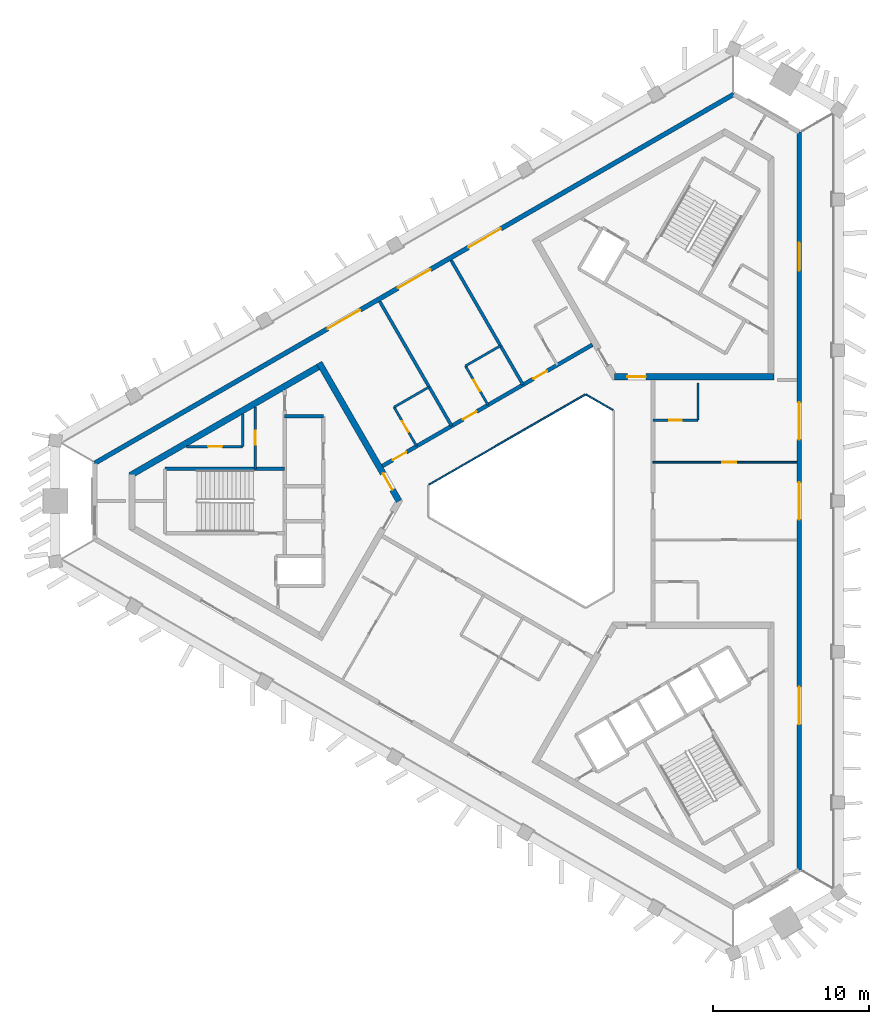
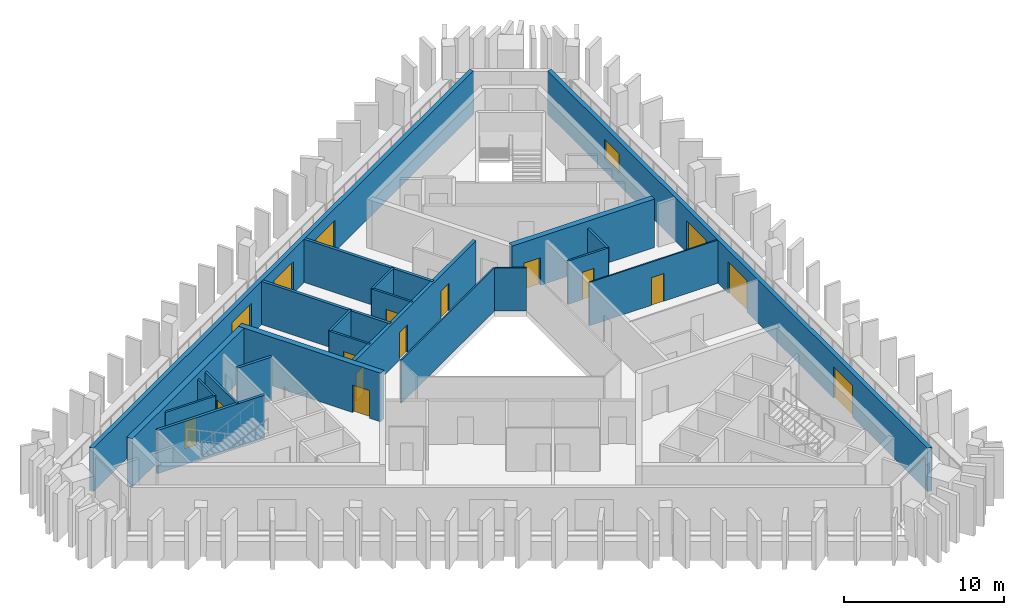
# One storey, part 4 of 9: 22 walls, 17 doors, 1 window, 18 openings.
"""IFC4 building model written with IfcOpenShell, lengths in metres."""

from ifc_helpers import new_model, si_unit, direction, frame, frame_2d, origin, place, context, subcontext, project, spatial, rectangle, extrude, material, layer, layer_set, type_object, element, fill, save


model = new_model("IFC4")

# Units and contexts
model_context = context("Model", 3, precision=1e-05, world=origin(), true_north=direction((0.0, 1.0)))
body_context = subcontext(model_context, "Body", "Model", "MODEL_VIEW")
ifc_project = project(units=[si_unit("LENGTHUNIT", "METRE"), si_unit("AREAUNIT", "SQUARE_METRE"), si_unit("VOLUMEUNIT", "CUBIC_METRE"), si_unit("PLANEANGLEUNIT", "RADIAN"), si_unit("MASSUNIT", "GRAM", prefix="KILO")], contexts=[model_context])

# Site, building, storey
site_placement = place(None, origin())
site = spatial("IfcSite", under=ifc_project, at=site_placement, CompositionType="ELEMENT")
building_placement = place(site_placement, origin())
building = spatial("IfcBuilding", under=site, at=building_placement, Name="Jabali Bay Hotel Tower and Convention Centre", CompositionType="ELEMENT")
storey_placement = place(building_placement, frame((0.0, 0.0, 277.5)))
storey = spatial("IfcBuildingStorey", under=building, at=storey_placement, Name="L68", CompositionType="ELEMENT", Elevation=277.5)

# Walls
ifc_material_1 = material(Name="Fire-resistant glazing", Category="glass")
ifc_layer_1 = layer(ifc_material_1, 0.10009765625)
ifc_layer_set_1 = layer_set([ifc_layer_1], Name="Fire-resistant glazing")
wall_type_1 = type_object("IfcWallType", Name="Atrium glazed screen 100", PredefinedType="PARTITIONING", material=ifc_layer_set_1)
wall_1_placement = place(storey_placement, frame((79.530029296875, 85.84619140625, 0.0), z_axis=(0.0, 0.0, 1.0), x_axis=(-0.866041268327, 0.499972520799, 0.0)))
element("IfcWall", 1, at=wall_1_placement, inside=storey, type_object=wall_type_1, Name="Atrium screen 2 L68", PredefinedType="PARTITIONING", context=body_context, shape_type="SweptSolid", body=[
    extrude(rectangle(XDim=2.0, YDim=0.10009765625, at=frame_2d((1.0, 0.0))), origin(), (0.0, 0.0, 1.0), 3.300048828125),
])
wall_2_placement = place(storey_placement, frame((77.738037109375, 86.84619140625, 0.0), z_axis=(0.0, 0.0, 1.0), x_axis=(-0.866026658274, -0.499997827154, 0.0)))
element("IfcWall", 2, at=wall_2_placement, inside=storey, type_object=wall_type_1, Name="Atrium screen 3 L68", PredefinedType="PARTITIONING", context=body_context, shape_type="SweptSolid", body=[
    extrude(rectangle(XDim=11.58837890625, YDim=0.10009765625, at=frame_2d((5.794189453125, 0.0))), origin(), (0.0, 0.0, 1.0), 3.300048828125),
])

# Wall, opening, door
ifc_material_2 = material(Name="Fire-rated board partition")
ifc_layer_2 = layer(ifc_material_2, 0.14990234375)
ifc_layer_set_2 = layer_set([ifc_layer_2], Name="Fire-rated board partition")
wall_type_2 = type_object("IfcWallType", Name="Core room partition 150", PredefinedType="PARTITIONING", material=ifc_layer_set_2)
wall_3_placement = place(storey_placement, frame((55.719970703125, 83.5, 0.0), z_axis=(0.0, 0.0, 1.0), x_axis=(-1.0, 0.0, 0.0)))
wall_3 = element("IfcWall", 3, at=wall_3_placement, inside=storey, type_object=wall_type_2, Name="Core wall 0.1 L68", PredefinedType="PARTITIONING", context=body_context, shape_type="SweptSolid", body=[
    extrude(rectangle(XDim=3.61767578125, YDim=0.14990234375, at=frame_2d((1.808837890625, 0.0))), origin(), (0.0, 0.0, 1.0), 3.300048828125),
])
opening_1_placement = place(wall_3_placement, frame((1.33154296875, 0.0, 0.0)))
opening_1 = element("IfcOpeningElement", 4, at=opening_1_placement, cuts=wall_3, Name="Opening D1500", PredefinedType="OPENING", context=body_context, shape_type="SweptSolid", body=[
    extrude(rectangle(XDim=0.89990234375, YDim=2.10009765625, at=frame_2d((0.449951171875, 1.050048828125))), frame((0.0, 0.08544921875, 0.0), z_axis=(0.0, -1.0, 0.0), x_axis=(1.0, 0.0, 0.0)), (0.0, 0.0, 1.0), 0.1708984375),
])
ifc_material_3 = material(Name="Fire-rated steel door", Category="steel")
door_type_1 = type_object("IfcDoorType", Name="Core room door 900 x 2100", OperationType="NOTDEFINED", PredefinedType="NOTDEFINED", material=ifc_material_3)
door_1_placement = place(opening_1_placement, origin())
door_1 = element("IfcDoor", 5, at=door_1_placement, inside=storey, type_object=door_type_1, Name="Core room door D1500", OperationType="SINGLE_SWING_LEFT", OverallHeight=2.10009765625, OverallWidth=0.89990234375, PredefinedType="NOTDEFINED", context=body_context, shape_type="SweptSolid", body=[
    extrude(rectangle(XDim=0.89990234375, YDim=2.10009765625, at=frame_2d((0.449951171875, 1.050048828125))), frame((0.0, 0.02490234375, 0.0), z_axis=(0.0, -1.0, 0.0), x_axis=(1.0, 0.0, 0.0)), (0.0, 0.0, 1.0), 0.050048828125),
])
fill(opening_1, door_1)

wall_4_placement = place(storey_placement, frame((56.52001953125, 86.050537109375, 0.0), z_axis=(0.0, 0.0, 1.0), x_axis=(0.0, -1.0, 0.0)))
wall_4 = element("IfcWall", 6, at=wall_4_placement, inside=storey, type_object=wall_type_2, Name="Core wall 0.13 L68", PredefinedType="PARTITIONING", context=body_context, shape_type="SweptSolid", body=[
    extrude(rectangle(XDim=3.9755859375, YDim=0.14990234375, at=frame_2d((1.98779296875, 0.0))), origin(), (0.0, 0.0, 1.0), 3.300048828125),
])
opening_2_placement = place(wall_4_placement, frame((1.537841796875, 0.0, 0.0)))
opening_2 = element("IfcOpeningElement", 7, at=opening_2_placement, cuts=wall_4, Name="Opening D1496", PredefinedType="OPENING", context=body_context, shape_type="SweptSolid", body=[
    extrude(rectangle(XDim=0.89990234375, YDim=2.10009765625, at=frame_2d((0.449951171875, 1.050048828125))), frame((0.0, 0.08544921875, 0.0), z_axis=(0.0, -1.0, 0.0), x_axis=(1.0, 0.0, 0.0)), (0.0, 0.0, 1.0), 0.1708984375),
])
door_2_placement = place(opening_2_placement, origin())
door_2 = element("IfcDoor", 8, at=door_2_placement, inside=storey, type_object=door_type_1, Name="Core room door D1496", OperationType="SINGLE_SWING_RIGHT", OverallHeight=2.10009765625, OverallWidth=0.89990234375, PredefinedType="NOTDEFINED", context=body_context, shape_type="SweptSolid", body=[
    extrude(rectangle(XDim=0.89990234375, YDim=2.10009765625, at=frame_2d((0.449951171875, 1.050048828125))), frame((0.0, 0.02490234375, 0.0), z_axis=(0.0, -1.0, 0.0), x_axis=(1.0, 0.0, 0.0)), (0.0, 0.0, 1.0), 0.050048828125),
])
fill(opening_2, door_2)

# Walls
wall_5_placement = place(storey_placement, frame((55.719970703125, 85.5888671875, 0.0), z_axis=(0.0, 0.0, 1.0), x_axis=(0.0, -1.0, 0.0)))
element("IfcWall", 9, at=wall_5_placement, inside=storey, type_object=wall_type_2, Name="Core wall 0.14 L68", PredefinedType="PARTITIONING", context=body_context, shape_type="SweptSolid", body=[
    extrude(rectangle(XDim=2.0888671875, YDim=0.14990234375, at=frame_2d((1.04443359375, 0.0))), origin(), (0.0, 0.0, 1.0), 3.300048828125),
])
ifc_material_4 = material(Name="Concrete C40", Category="concrete")
ifc_layer_3 = layer(ifc_material_4, 0.199951171875)
ifc_layer_set_3 = layer_set([ifc_layer_3], Name="Concrete C40")
wall_type_3 = type_object("IfcWallType", Name="Core stair wall 200", PredefinedType="SOLIDWALL", material=ifc_layer_set_3)
wall_6_placement = place(storey_placement, frame((60.89990234375, 85.449951171875, 0.0), z_axis=(0.0, 0.0, 1.0), x_axis=(-1.0, 0.0, 0.0)))
element("IfcWall", 10, at=wall_6_placement, inside=storey, type_object=wall_type_3, Name="Core wall 0.0 L68", PredefinedType="SOLIDWALL", context=body_context, shape_type="SweptSolid", body=[
    extrude(rectangle(XDim=2.47998046875, YDim=0.199951171875, at=frame_2d((1.239990234375, 0.0))), origin(), (0.0, 0.0, 1.0), 3.300048828125),
])
wall_7_placement = place(storey_placement, frame((58.419921875, 82.074951171875, 0.0), z_axis=(0.0, 0.0, 1.0), x_axis=(-1.0, 0.0, 0.0)))
element("IfcWall", 11, at=wall_7_placement, inside=storey, type_object=wall_type_3, Name="Core wall 0.2 L68", PredefinedType="SOLIDWALL", context=body_context, shape_type="SweptSolid", body=[
    extrude(rectangle(XDim=7.699951171875, YDim=0.199951171875, at=frame_2d((3.85009765625, 0.0))), origin(), (0.0, 0.0, 1.0), 3.300048828125),
])

# Wall, opening, door
ifc_material_5 = material(Name="Concrete C60", Category="concrete")
ifc_layer_4 = layer(ifc_material_5, 0.39990234375)
ifc_layer_set_4 = layer_set([ifc_layer_4], Name="Concrete C60")
wall_type_4 = type_object("IfcWallType", Name="Core wall 400", PredefinedType="SHEAR", material=ifc_layer_set_4)
wall_8_placement = place(storey_placement, frame((65.76904296875, 80.0, 0.0), z_axis=(0.0, 0.0, 1.0), x_axis=(-0.50000177223, 0.866024380585, 0.0)))
wall_8 = element("IfcWall", 12, at=wall_8_placement, inside=storey, type_object=wall_type_4, Name="Core wall 1.1 L68", PredefinedType="SHEAR", context=body_context, shape_type="SweptSolid", body=[
    extrude(rectangle(XDim=10.2646484375, YDim=0.39990234375, at=frame_2d((5.13232421875, 0.0))), origin(), (0.0, 0.0, 1.0), 3.699951171875),
])
opening_3_placement = place(wall_8_placement, frame((0.83447265625, 0.0, 0.0)))
opening_3 = element("IfcOpeningElement", 13, at=opening_3_placement, cuts=wall_8, Name="Opening D1491", PredefinedType="OPENING", context=body_context, shape_type="SweptSolid", body=[
    extrude(rectangle(XDim=1.199951171875, YDim=2.10009765625, at=frame_2d((0.60009765625, 1.050048828125))), frame((0.0, 0.21044921875, 0.0), z_axis=(0.0, -1.0, 0.0), x_axis=(1.0, 0.0, 0.0)), (0.0, 0.0, 1.0), 0.4208984375),
])
door_type_2 = type_object("IfcDoorType", Name="Corridor end fire door 1200 x 2100", OperationType="NOTDEFINED", PredefinedType="NOTDEFINED", material=ifc_material_3)
door_3_placement = place(opening_3_placement, origin())
door_3 = element("IfcDoor", 14, at=door_3_placement, inside=storey, type_object=door_type_2, Name="Corridor end fire door D1491", OperationType="SINGLE_SWING_RIGHT", OverallHeight=2.10009765625, OverallWidth=1.199951171875, PredefinedType="NOTDEFINED", context=body_context, shape_type="SweptSolid", body=[
    extrude(rectangle(XDim=1.199951171875, YDim=2.10009765625, at=frame_2d((0.60009765625, 1.050048828125))), frame((0.0, 0.02490234375, 0.0), z_axis=(0.0, -1.0, 0.0), x_axis=(1.0, 0.0, 0.0)), (0.0, 0.0, 1.0), 0.050048828125),
])
fill(opening_3, door_3)

# Wall
wall_9_placement = place(storey_placement, frame((60.73681640625, 88.716064453125, 0.0), z_axis=(0.0, 0.0, 1.0), x_axis=(-0.866028812667, -0.499994095595, 0.0)))
element("IfcWall", 15, at=wall_9_placement, inside=storey, type_object=wall_type_4, Name="Core wall 1.2 L68", PredefinedType="SHEAR", context=body_context, shape_type="SweptSolid", body=[
    extrude(rectangle(XDim=14.133544921875, YDim=0.39990234375, at=frame_2d((7.06689453125, 0.0))), origin(), (0.0, 0.0, 1.0), 3.699951171875),
])

# Wall, opening, door
wall_10_placement = place(storey_placement, frame((79.615478515625, 87.994140625, 0.0), z_axis=(0.0, 0.0, 1.0), x_axis=(1.0, 0.0, 0.0)))
wall_10 = element("IfcWall", 16, at=wall_10_placement, inside=storey, type_object=wall_type_4, Name="Core wall 2.1 L68", PredefinedType="SHEAR", context=body_context, shape_type="SweptSolid", body=[
    extrude(rectangle(XDim=10.264404296875, YDim=0.39990234375, at=frame_2d((5.13232421875, 0.0))), origin(), (0.0, 0.0, 1.0), 3.699951171875),
])
opening_4_placement = place(wall_10_placement, frame((0.83447265625, 0.0, 0.0)))
opening_4 = element("IfcOpeningElement", 17, at=opening_4_placement, cuts=wall_10, Name="Opening D1501", PredefinedType="OPENING", context=body_context, shape_type="SweptSolid", body=[
    extrude(rectangle(XDim=1.199951171875, YDim=2.10009765625, at=frame_2d((0.60009765625, 1.050048828125))), frame((0.0, 0.21044921875, 0.0), z_axis=(0.0, -1.0, 0.0), x_axis=(1.0, 0.0, 0.0)), (0.0, 0.0, 1.0), 0.4208984375),
])
door_4_placement = place(opening_4_placement, origin())
door_4 = element("IfcDoor", 18, at=door_4_placement, inside=storey, type_object=door_type_2, Name="Corridor end fire door D1501", OperationType="SINGLE_SWING_RIGHT", OverallHeight=2.10009765625, OverallWidth=1.199951171875, PredefinedType="NOTDEFINED", context=body_context, shape_type="SweptSolid", body=[
    extrude(rectangle(XDim=1.199951171875, YDim=2.10009765625, at=frame_2d((0.60009765625, 1.050048828125))), frame((0.0, 0.02490234375, 0.0), z_axis=(0.0, -1.0, 0.0), x_axis=(1.0, 0.0, 0.0)), (0.0, 0.0, 1.0), 0.050048828125),
])
fill(opening_4, door_4)

# Wall, openings, doors
ifc_layer_5 = layer(ifc_material_5, 0.25)
ifc_layer_set_5 = layer_set([ifc_layer_5], Name="Concrete C60")
wall_type_5 = type_object("IfcWallType", Name="Corridor wall 250", PredefinedType="SHEAR", material=ifc_layer_set_5)
wall_11_placement = place(storey_placement, frame((78.199951171875, 90.0458984375, 0.0), z_axis=(0.0, 0.0, 1.0), x_axis=(-0.866026492143, -0.499998114903, 0.0)))
wall_11 = element("IfcWall", 19, at=wall_11_placement, inside=storey, type_object=wall_type_5, Name="Corridor wall 2 L68", PredefinedType="SHEAR", context=body_context, shape_type="SweptSolid", body=[
    extrude(rectangle(XDim=15.58837890625, YDim=0.25, at=frame_2d((7.794189453125, 0.0))), origin(), (0.0, 0.0, 1.0), 3.300048828125),
])
opening_5_placement = place(wall_11_placement, frame((3.3720703125, 0.0, 0.0)))
opening_5 = element("IfcOpeningElement", 20, at=opening_5_placement, cuts=wall_11, Name="Opening 6807", PredefinedType="OPENING", context=body_context, shape_type="SweptSolid", body=[
    extrude(rectangle(XDim=1.0, YDim=2.10009765625, at=frame_2d((0.5, 1.050048828125))), frame((0.0, 0.135498046875, 0.0), z_axis=(0.0, -1.0, 0.0), x_axis=(1.0, 0.0, 0.0)), (0.0, 0.0, 1.0), 0.27099609375),
])
opening_6_placement = place(wall_11_placement, frame((8.59423828125, 0.0, 0.0)))
opening_6 = element("IfcOpeningElement", 21, at=opening_6_placement, cuts=wall_11, Name="Opening 6809", PredefinedType="OPENING", context=body_context, shape_type="SweptSolid", body=[
    extrude(rectangle(XDim=1.0, YDim=2.10009765625, at=frame_2d((0.5, 1.050048828125))), frame((0.0, 0.135498046875, 0.0), z_axis=(0.0, -1.0, 0.0), x_axis=(1.0, 0.0, 0.0)), (0.0, 0.0, 1.0), 0.27099609375),
])
opening_7_placement = place(wall_11_placement, frame((13.81640625, 0.0, 0.0)))
opening_7 = element("IfcOpeningElement", 22, at=opening_7_placement, cuts=wall_11, Name="Opening 6811", PredefinedType="OPENING", context=body_context, shape_type="SweptSolid", body=[
    extrude(rectangle(XDim=1.0, YDim=2.10009765625, at=frame_2d((0.5, 1.050048828125))), frame((0.0, 0.135498046875, 0.0), z_axis=(0.0, -1.0, 0.0), x_axis=(1.0, 0.0, 0.0)), (0.0, 0.0, 1.0), 0.27099609375),
])
ifc_material_6 = material(Name="Timber", Category="wood")
door_type_3 = type_object("IfcDoorType", Name="Guest room door 1000 x 2100", OperationType="NOTDEFINED", PredefinedType="NOTDEFINED", material=ifc_material_6)
door_5_placement = place(opening_5_placement, origin())
door_5 = element("IfcDoor", 23, at=door_5_placement, inside=storey, type_object=door_type_3, Name="Door 6807", OperationType="SINGLE_SWING_LEFT", OverallHeight=2.10009765625, OverallWidth=1.0, PredefinedType="NOTDEFINED", context=body_context, shape_type="SweptSolid", body=[
    extrude(rectangle(XDim=1.0, YDim=2.10009765625, at=frame_2d((0.5, 1.050048828125))), frame((0.0, 0.02490234375, 0.0), z_axis=(0.0, -1.0, 0.0), x_axis=(1.0, 0.0, 0.0)), (0.0, 0.0, 1.0), 0.050048828125),
])
fill(opening_5, door_5)
door_6_placement = place(opening_6_placement, origin())
door_6 = element("IfcDoor", 24, at=door_6_placement, inside=storey, type_object=door_type_3, Name="Door 6809", OperationType="SINGLE_SWING_RIGHT", OverallHeight=2.10009765625, OverallWidth=1.0, PredefinedType="NOTDEFINED", context=body_context, shape_type="SweptSolid", body=[
    extrude(rectangle(XDim=1.0, YDim=2.10009765625, at=frame_2d((0.5, 1.050048828125))), frame((0.0, 0.02490234375, 0.0), z_axis=(0.0, -1.0, 0.0), x_axis=(1.0, 0.0, 0.0)), (0.0, 0.0, 1.0), 0.050048828125),
])
fill(opening_6, door_6)
door_7_placement = place(opening_7_placement, origin())
door_7 = element("IfcDoor", 25, at=door_7_placement, inside=storey, type_object=door_type_3, Name="Door 6811", OperationType="SINGLE_SWING_RIGHT", OverallHeight=2.10009765625, OverallWidth=1.0, PredefinedType="NOTDEFINED", context=body_context, shape_type="SweptSolid", body=[
    extrude(rectangle(XDim=1.0, YDim=2.10009765625, at=frame_2d((0.5, 1.050048828125))), frame((0.0, 0.02490234375, 0.0), z_axis=(0.0, -1.0, 0.0), x_axis=(1.0, 0.0, 0.0)), (0.0, 0.0, 1.0), 0.050048828125),
])
fill(opening_7, door_7)

# Wall, openings, doors, window
ifc_layer_6 = layer(ifc_material_4, 0.300048828125)
ifc_layer_set_6 = layer_set([ifc_layer_6], Name="Concrete C40")
wall_type_6 = type_object("IfcWallType", Name="External wall 300", PredefinedType="SOLIDWALL", material=ifc_layer_set_6)
wall_12_placement = place(storey_placement, frame((91.503173828125, 103.729736328125, 0.0), z_axis=(0.0, 0.0, 1.0), x_axis=(0.0, -1.0, 0.0)))
wall_12 = element("IfcWall", 26, at=wall_12_placement, inside=storey, type_object=wall_type_6, Name="External wall east face L68", PredefinedType="SOLIDWALL", context=body_context, shape_type="SweptSolid", body=[
    extrude(rectangle(XDim=47.45947265625, YDim=0.300048828125, at=frame_2d((23.729736328125, 0.0))), origin(), (0.0, 0.0, 1.0), 3.300048828125),
])
opening_8_placement = place(wall_12_placement, frame((7.116943359375, 0.0, 0.89990234375)))
opening_8 = element("IfcOpeningElement", 27, at=opening_8_placement, cuts=wall_12, Name="Opening W1", PredefinedType="OPENING", context=body_context, shape_type="SweptSolid", body=[
    extrude(rectangle(XDim=1.800048828125, YDim=1.5, at=frame_2d((0.89990234375, 0.75))), frame((0.0, 0.16064453125, 0.0), z_axis=(0.0, -1.0, 0.0), x_axis=(1.0, 0.0, 0.0)), (0.0, 0.0, 1.0), 0.321044921875),
])
opening_9_placement = place(wall_12_placement, frame((35.685546875, 0.0, 0.0)))
opening_9 = element("IfcOpeningElement", 28, at=opening_9_placement, cuts=wall_12, Name="Opening SD1", PredefinedType="OPENING", context=body_context, shape_type="SweptSolid", body=[
    extrude(rectangle(XDim=2.39990234375, YDim=2.39990234375, at=frame_2d((1.199951171875, 1.199951171875))), frame((0.0, 0.16064453125, 0.0), z_axis=(0.0, -1.0, 0.0), x_axis=(1.0, 0.0, 0.0)), (0.0, 0.0, 1.0), 0.321044921875),
])
opening_10_placement = place(wall_12_placement, frame((17.3857421875, 0.0, 0.0)))
opening_10 = element("IfcOpeningElement", 29, at=opening_10_placement, cuts=wall_12, Name="Opening SD1", PredefinedType="OPENING", context=body_context, shape_type="SweptSolid", body=[
    extrude(rectangle(XDim=2.39990234375, YDim=2.39990234375, at=frame_2d((1.199951171875, 1.199951171875))), frame((0.0, 0.16064453125, 0.0), z_axis=(0.0, -1.0, 0.0), x_axis=(1.0, 0.0, 0.0)), (0.0, 0.0, 1.0), 0.321044921875),
])
opening_11_placement = place(wall_12_placement, frame((22.52978515625, 0.0, 0.0)))
opening_11 = element("IfcOpeningElement", 30, at=opening_11_placement, cuts=wall_12, Name="Opening SD1", PredefinedType="OPENING", context=body_context, shape_type="SweptSolid", body=[
    extrude(rectangle(XDim=2.39990234375, YDim=2.39990234375, at=frame_2d((1.199951171875, 1.199951171875))), frame((0.0, 0.16064453125, 0.0), z_axis=(0.0, -1.0, 0.0), x_axis=(1.0, 0.0, 0.0)), (0.0, 0.0, 1.0), 0.321044921875),
])
ifc_material_7 = material(Name="Glass", Category="glass")
door_type_4 = type_object("IfcDoorType", Name="Loggia sliding door 2400 x 2400", OperationType="NOTDEFINED", PredefinedType="NOTDEFINED", material=ifc_material_7)
door_8_placement = place(opening_9_placement, origin())
door_8 = element("IfcDoor", 31, at=door_8_placement, inside=storey, type_object=door_type_4, Name="Loggia sliding door", OperationType="SLIDING_TO_LEFT", OverallHeight=2.39990234375, OverallWidth=2.39990234375, PredefinedType="NOTDEFINED", context=body_context, shape_type="SweptSolid", body=[
    extrude(rectangle(XDim=2.39990234375, YDim=2.39990234375, at=frame_2d((1.199951171875, 1.199951171875))), frame((0.0, 0.02490234375, 0.0), z_axis=(0.0, -1.0, 0.0), x_axis=(1.0, 0.0, 0.0)), (0.0, 0.0, 1.0), 0.050048828125),
])
fill(opening_9, door_8)
door_9_placement = place(opening_10_placement, origin())
door_9 = element("IfcDoor", 32, at=door_9_placement, inside=storey, type_object=door_type_4, Name="Loggia sliding door", OperationType="SLIDING_TO_RIGHT", OverallHeight=2.39990234375, OverallWidth=2.39990234375, PredefinedType="NOTDEFINED", context=body_context, shape_type="SweptSolid", body=[
    extrude(rectangle(XDim=2.39990234375, YDim=2.39990234375, at=frame_2d((1.199951171875, 1.199951171875))), frame((0.0, 0.02490234375, 0.0), z_axis=(0.0, -1.0, 0.0), x_axis=(1.0, 0.0, 0.0)), (0.0, 0.0, 1.0), 0.050048828125),
])
fill(opening_10, door_9)
door_10_placement = place(opening_11_placement, origin())
door_10 = element("IfcDoor", 33, at=door_10_placement, inside=storey, type_object=door_type_4, Name="Loggia sliding door 6801", OperationType="SLIDING_TO_LEFT", OverallHeight=2.39990234375, OverallWidth=2.39990234375, PredefinedType="NOTDEFINED", context=body_context, shape_type="SweptSolid", body=[
    extrude(rectangle(XDim=2.39990234375, YDim=2.39990234375, at=frame_2d((1.199951171875, 1.199951171875))), frame((0.0, 0.02490234375, 0.0), z_axis=(0.0, -1.0, 0.0), x_axis=(1.0, 0.0, 0.0)), (0.0, 0.0, 1.0), 0.050048828125),
])
fill(opening_11, door_10)
window_type = type_object("IfcWindowType", Name="Window 1800 x 1500", PartitioningType="SINGLE_PANEL", PredefinedType="WINDOW", material=ifc_material_7)
window_placement = place(opening_8_placement, origin())
window = element("IfcWindow", 34, at=window_placement, inside=storey, type_object=window_type, Name="Window", OverallHeight=1.5, OverallWidth=1.800048828125, PartitioningType="SINGLE_PANEL", PredefinedType="WINDOW", context=body_context, shape_type="SweptSolid", body=[
    extrude(rectangle(XDim=1.800048828125, YDim=1.5, at=frame_2d((0.89990234375, 0.75))), frame((0.0, 0.030029296875, 0.0), z_axis=(0.0, -1.0, 0.0), x_axis=(1.0, 0.0, 0.0)), (0.0, 0.0, 1.0), 0.06005859375),
])
fill(opening_8, window)

# Wall, openings, doors
wall_13_placement = place(storey_placement, frame((46.19775390625, 82.42724609375, 0.0), z_axis=(0.0, 0.0, 1.0), x_axis=(0.866024279277, 0.500001947699, 0.0)))
wall_13 = element("IfcWall", 35, at=wall_13_placement, inside=storey, type_object=wall_type_6, Name="External wall north-west face L68", PredefinedType="SOLIDWALL", context=body_context, shape_type="SweptSolid", body=[
    extrude(rectangle(XDim=47.459716796875, YDim=0.300048828125, at=frame_2d((23.72998046875, 0.0))), origin(), (0.0, 0.0, 1.0), 3.300048828125),
])
opening_12_placement = place(wall_13_placement, frame((17.3076171875, 0.0, 0.0)))
opening_12 = element("IfcOpeningElement", 36, at=opening_12_placement, cuts=wall_13, Name="Opening SD1", PredefinedType="OPENING", context=body_context, shape_type="SweptSolid", body=[
    extrude(rectangle(XDim=2.39990234375, YDim=2.39990234375, at=frame_2d((1.199951171875, 1.199951171875))), frame((0.0, 0.16064453125, 0.0), z_axis=(0.0, -1.0, 0.0), x_axis=(1.0, 0.0, 0.0)), (0.0, 0.0, 1.0), 0.321044921875),
])
opening_13_placement = place(wall_13_placement, frame((22.52978515625, 0.0, 0.0)))
opening_13 = element("IfcOpeningElement", 37, at=opening_13_placement, cuts=wall_13, Name="Opening SD1", PredefinedType="OPENING", context=body_context, shape_type="SweptSolid", body=[
    extrude(rectangle(XDim=2.39990234375, YDim=2.39990234375, at=frame_2d((1.199951171875, 1.199951171875))), frame((0.0, 0.16064453125, 0.0), z_axis=(0.0, -1.0, 0.0), x_axis=(1.0, 0.0, 0.0)), (0.0, 0.0, 1.0), 0.321044921875),
])
opening_14_placement = place(wall_13_placement, frame((27.751953125, 0.0, 0.0)))
opening_14 = element("IfcOpeningElement", 38, at=opening_14_placement, cuts=wall_13, Name="Opening SD1", PredefinedType="OPENING", context=body_context, shape_type="SweptSolid", body=[
    extrude(rectangle(XDim=2.39990234375, YDim=2.39990234375, at=frame_2d((1.199951171875, 1.199951171875))), frame((0.0, 0.16064453125, 0.0), z_axis=(0.0, -1.0, 0.0), x_axis=(1.0, 0.0, 0.0)), (0.0, 0.0, 1.0), 0.321044921875),
])
door_11_placement = place(opening_12_placement, origin())
door_11 = element("IfcDoor", 39, at=door_11_placement, inside=storey, type_object=door_type_4, Name="Loggia sliding door 6804", OperationType="SLIDING_TO_LEFT", OverallHeight=2.39990234375, OverallWidth=2.39990234375, PredefinedType="NOTDEFINED", context=body_context, shape_type="SweptSolid", body=[
    extrude(rectangle(XDim=2.39990234375, YDim=2.39990234375, at=frame_2d((1.199951171875, 1.199951171875))), frame((0.0, 0.02490234375, 0.0), z_axis=(0.0, -1.0, 0.0), x_axis=(1.0, 0.0, 0.0)), (0.0, 0.0, 1.0), 0.050048828125),
])
fill(opening_12, door_11)
door_12_placement = place(opening_13_placement, origin())
door_12 = element("IfcDoor", 40, at=door_12_placement, inside=storey, type_object=door_type_4, Name="Loggia sliding door 6803", OperationType="SLIDING_TO_RIGHT", OverallHeight=2.39990234375, OverallWidth=2.39990234375, PredefinedType="NOTDEFINED", context=body_context, shape_type="SweptSolid", body=[
    extrude(rectangle(XDim=2.39990234375, YDim=2.39990234375, at=frame_2d((1.199951171875, 1.199951171875))), frame((0.0, 0.02490234375, 0.0), z_axis=(0.0, -1.0, 0.0), x_axis=(1.0, 0.0, 0.0)), (0.0, 0.0, 1.0), 0.050048828125),
])
fill(opening_13, door_12)
door_13_placement = place(opening_14_placement, origin())
door_13 = element("IfcDoor", 41, at=door_13_placement, inside=storey, type_object=door_type_4, Name="Loggia sliding door 6802", OperationType="SLIDING_TO_LEFT", OverallHeight=2.39990234375, OverallWidth=2.39990234375, PredefinedType="NOTDEFINED", context=body_context, shape_type="SweptSolid", body=[
    extrude(rectangle(XDim=2.39990234375, YDim=2.39990234375, at=frame_2d((1.199951171875, 1.199951171875))), frame((0.0, 0.02490234375, 0.0), z_axis=(0.0, -1.0, 0.0), x_axis=(1.0, 0.0, 0.0)), (0.0, 0.0, 1.0), 0.050048828125),
])
fill(opening_14, door_13)

# Wall, opening, door
ifc_material_8 = material(Name="Plasterboard on steel stud", Category="steel")
ifc_layer_7 = layer(ifc_material_8, 0.10009765625)
ifc_layer_set_7 = layer_set([ifc_layer_7], Name="Plasterboard on steel stud")
wall_type_7 = type_object("IfcWallType", Name="Partition 100 unit", PredefinedType="PARTITIONING", material=ifc_layer_set_7)
wall_14_placement = place(storey_placement, frame((82.10009765625, 82.494140625, 0.0), z_axis=(0.0, 0.0, 1.0), x_axis=(1.0, 0.0, 0.0)))
wall_14 = element("IfcWall", 42, at=wall_14_placement, inside=storey, type_object=wall_type_7, Name="Partition P02 L68 005", PredefinedType="PARTITIONING", context=body_context, shape_type="SweptSolid", body=[
    extrude(rectangle(XDim=9.254150390625, YDim=0.10009765625, at=frame_2d((4.626953125, 0.0))), origin(), (0.0, 0.0, 1.0), 3.300048828125),
])
opening_15_placement = place(wall_14_placement, frame((4.449951171875, 0.0, 0.0)))
opening_15 = element("IfcOpeningElement", 43, at=opening_15_placement, cuts=wall_14, Name="Opening 6804", PredefinedType="OPENING", context=body_context, shape_type="SweptSolid", body=[
    extrude(rectangle(XDim=0.89990234375, YDim=2.10009765625, at=frame_2d((0.449951171875, 1.050048828125))), frame((0.0, 0.060546875, 0.0), z_axis=(0.0, -1.0, 0.0), x_axis=(1.0, 0.0, 0.0)), (0.0, 0.0, 1.0), 0.12109375),
])
door_type_5 = type_object("IfcDoorType", Name="Internal door 900 x 2100", OperationType="NOTDEFINED", PredefinedType="NOTDEFINED", material=ifc_material_6)
door_14_placement = place(opening_15_placement, origin())
door_14 = element("IfcDoor", 44, at=door_14_placement, inside=storey, type_object=door_type_5, Name="Door 6804", OperationType="SINGLE_SWING_LEFT", OverallHeight=2.10009765625, OverallWidth=0.89990234375, PredefinedType="NOTDEFINED", context=body_context, shape_type="SweptSolid", body=[
    extrude(rectangle(XDim=0.89990234375, YDim=2.10009765625, at=frame_2d((0.449951171875, 1.050048828125))), frame((0.0, 0.02490234375, 0.0), z_axis=(0.0, -1.0, 0.0), x_axis=(1.0, 0.0, 0.0)), (0.0, 0.0, 1.0), 0.050048828125),
])
fill(opening_15, door_14)

# Wall
ifc_layer_8 = layer(ifc_material_8, 0.14990234375)
ifc_layer_set_8 = layer_set([ifc_layer_8], Name="Plasterboard on steel stud")
wall_type_8 = type_object("IfcWallType", Name="Partition 150 wet", PredefinedType="PARTITIONING", material=ifc_layer_set_8)
wall_15_placement = place(storey_placement, frame((85.0, 87.59521484375, 0.0), z_axis=(0.0, 0.0, 1.0), x_axis=(0.0, -1.0, 0.0)))
element("IfcWall", 45, at=wall_15_placement, inside=storey, type_object=wall_type_8, Name="Partition P03 L68 006", PredefinedType="PARTITIONING", context=body_context, shape_type="SweptSolid", body=[
    extrude(rectangle(XDim=2.40087890625, YDim=0.14990234375, at=frame_2d((1.200439453125, 0.0))), origin(), (0.0, 0.0, 1.0), 3.300048828125),
])

# Wall, opening, door
wall_16_placement = place(storey_placement, frame((85.0, 85.1943359375, 0.0), z_axis=(0.0, 0.0, 1.0), x_axis=(-1.0, 0.0, 0.0)))
wall_16 = element("IfcWall", 46, at=wall_16_placement, inside=storey, type_object=wall_type_8, Name="Partition P03 L68 007", PredefinedType="PARTITIONING", context=body_context, shape_type="SweptSolid", body=[
    extrude(rectangle(XDim=2.89990234375, YDim=0.14990234375, at=frame_2d((1.449951171875, 0.0))), origin(), (0.0, 0.0, 1.0), 3.300048828125),
])
opening_16_placement = place(wall_16_placement, frame((1.050048828125, 0.0, 0.0)))
opening_16 = element("IfcOpeningElement", 47, at=opening_16_placement, cuts=wall_16, Name="Opening 6802", PredefinedType="OPENING", context=body_context, shape_type="SweptSolid", body=[
    extrude(rectangle(XDim=0.800048828125, YDim=2.10009765625, at=frame_2d((0.39990234375, 1.050048828125))), frame((0.0, 0.08544921875, 0.0), z_axis=(0.0, -1.0, 0.0), x_axis=(1.0, 0.0, 0.0)), (0.0, 0.0, 1.0), 0.1708984375),
])
door_type_6 = type_object("IfcDoorType", Name="En-suite door 800 x 2100", OperationType="NOTDEFINED", PredefinedType="NOTDEFINED", material=ifc_material_6)
door_15_placement = place(opening_16_placement, origin())
door_15 = element("IfcDoor", 48, at=door_15_placement, inside=storey, type_object=door_type_6, Name="Door 6802", OperationType="SINGLE_SWING_RIGHT", OverallHeight=2.10009765625, OverallWidth=0.800048828125, PredefinedType="NOTDEFINED", context=body_context, shape_type="SweptSolid", body=[
    extrude(rectangle(XDim=0.800048828125, YDim=2.10009765625, at=frame_2d((0.39990234375, 1.050048828125))), frame((0.0, 0.02490234375, 0.0), z_axis=(0.0, -1.0, 0.0), x_axis=(1.0, 0.0, 0.0)), (0.0, 0.0, 1.0), 0.050048828125),
])
fill(opening_16, door_15)

wall_17_placement = place(storey_placement, frame((71.493408203125, 86.173828125, 0.0), z_axis=(0.0, 0.0, 1.0), x_axis=(-0.50005036918, 0.865996321171, 0.0)))
wall_17 = element("IfcWall", 49, at=wall_17_placement, inside=storey, type_object=wall_type_8, Name="Partition P03 L68 013", PredefinedType="PARTITIONING", context=body_context, shape_type="SweptSolid", body=[
    extrude(rectangle(XDim=2.900146484375, YDim=0.14990234375, at=frame_2d((1.4501953125, 0.0))), origin(), (0.0, 0.0, 1.0), 3.300048828125),
])
opening_17_placement = place(wall_17_placement, frame((1.050048828125, 0.0, 0.0)))
opening_17 = element("IfcOpeningElement", 50, at=opening_17_placement, cuts=wall_17, Name="Opening 6808", PredefinedType="OPENING", context=body_context, shape_type="SweptSolid", body=[
    extrude(rectangle(XDim=0.800048828125, YDim=2.10009765625, at=frame_2d((0.39990234375, 1.050048828125))), frame((0.0, 0.08544921875, 0.0), z_axis=(0.0, -1.0, 0.0), x_axis=(1.0, 0.0, 0.0)), (0.0, 0.0, 1.0), 0.1708984375),
])
door_16_placement = place(opening_17_placement, origin())
door_16 = element("IfcDoor", 51, at=door_16_placement, inside=storey, type_object=door_type_6, Name="Door 6808", OperationType="SINGLE_SWING_LEFT", OverallHeight=2.10009765625, OverallWidth=0.800048828125, PredefinedType="NOTDEFINED", context=body_context, shape_type="SweptSolid", body=[
    extrude(rectangle(XDim=0.800048828125, YDim=2.10009765625, at=frame_2d((0.39990234375, 1.050048828125))), frame((0.0, 0.02490234375, 0.0), z_axis=(0.0, -1.0, 0.0), x_axis=(1.0, 0.0, 0.0)), (0.0, 0.0, 1.0), 0.050048828125),
])
fill(opening_17, door_16)

# Wall
wall_18_placement = place(storey_placement, frame((70.043212890625, 88.685302734375, 0.0), z_axis=(0.0, 0.0, 1.0), x_axis=(0.866021400173, 0.500006934395, 0.0)))
element("IfcWall", 52, at=wall_18_placement, inside=storey, type_object=wall_type_8, Name="Partition P03 L68 014", PredefinedType="PARTITIONING", context=body_context, shape_type="SweptSolid", body=[
    extrude(rectangle(XDim=2.60009765625, YDim=0.14990234375, at=frame_2d((1.300048828125, 0.0))), origin(), (0.0, 0.0, 1.0), 3.300048828125),
])

# Wall, opening, door
wall_19_placement = place(storey_placement, frame((66.9033203125, 83.523681640625, 0.0), z_axis=(0.0, 0.0, 1.0), x_axis=(-0.499987231761, 0.866032775405, 0.0)))
wall_19 = element("IfcWall", 53, at=wall_19_placement, inside=storey, type_object=wall_type_8, Name="Partition P03 L68 016", PredefinedType="PARTITIONING", context=body_context, shape_type="SweptSolid", body=[
    extrude(rectangle(XDim=2.89990234375, YDim=0.14990234375, at=frame_2d((1.449951171875, 0.0))), origin(), (0.0, 0.0, 1.0), 3.300048828125),
])
opening_18_placement = place(wall_19_placement, frame((1.050048828125, 0.0, 0.0)))
opening_18 = element("IfcOpeningElement", 54, at=opening_18_placement, cuts=wall_19, Name="Opening 6810", PredefinedType="OPENING", context=body_context, shape_type="SweptSolid", body=[
    extrude(rectangle(XDim=0.800048828125, YDim=2.10009765625, at=frame_2d((0.39990234375, 1.050048828125))), frame((0.0, 0.08544921875, 0.0), z_axis=(0.0, -1.0, 0.0), x_axis=(1.0, 0.0, 0.0)), (0.0, 0.0, 1.0), 0.1708984375),
])
door_17_placement = place(opening_18_placement, origin())
door_17 = element("IfcDoor", 55, at=door_17_placement, inside=storey, type_object=door_type_6, Name="Door 6810", OperationType="SINGLE_SWING_LEFT", OverallHeight=2.10009765625, OverallWidth=0.800048828125, PredefinedType="NOTDEFINED", context=body_context, shape_type="SweptSolid", body=[
    extrude(rectangle(XDim=0.800048828125, YDim=2.10009765625, at=frame_2d((0.39990234375, 1.050048828125))), frame((0.0, 0.02490234375, 0.0), z_axis=(0.0, -1.0, 0.0), x_axis=(1.0, 0.0, 0.0)), (0.0, 0.0, 1.0), 0.050048828125),
])
fill(opening_18, door_17)

# Walls
wall_20_placement = place(storey_placement, frame((65.453369140625, 86.03515625, 0.0), z_axis=(0.0, 0.0, 1.0), x_axis=(0.866021400173, 0.500006934395, 0.0)))
element("IfcWall", 56, at=wall_20_placement, inside=storey, type_object=wall_type_8, Name="Partition P03 L68 017", PredefinedType="PARTITIONING", context=body_context, shape_type="SweptSolid", body=[
    extrude(rectangle(XDim=2.60009765625, YDim=0.14990234375, at=frame_2d((1.300048828125, 0.0))), origin(), (0.0, 0.0, 1.0), 3.300048828125),
])
ifc_layer_9 = layer(ifc_material_8, 0.199951171875)
ifc_layer_set_9 = layer_set([ifc_layer_9], Name="Plasterboard on steel stud")
wall_type_9 = type_object("IfcWallType", Name="Partition 200 party", PredefinedType="PARTITIONING", material=ifc_layer_set_9)
for number, where, z_axis, x_axis, name in (
    (57, (69.117919921875, 95.48828125, 0.0), (0.0, 0.0, 1.0), (0.500006385204, -0.866021717254, 0.0), "Partition P01 L68 011"),
    (58, (64.52783203125, 92.838134765625, 0.0), (0.0, 0.0, 1.0), (0.500006385204, -0.866021717254, 0.0), "Partition P01 L68 015"),
):
    element("IfcWall", number, at=place(storey_placement, frame(where, z_axis=z_axis, x_axis=x_axis)), inside=storey, type_object=wall_type_9, Name=name, PredefinedType="PARTITIONING", context=body_context, shape_type="SweptSolid", body=[
        extrude(rectangle(XDim=9.25439453125, YDim=0.199951171875, at=frame_2d((4.627197265625, 0.0))), origin(), (0.0, 0.0, 1.0), 3.300048828125),
    ])

save(model, "model.ifc")
